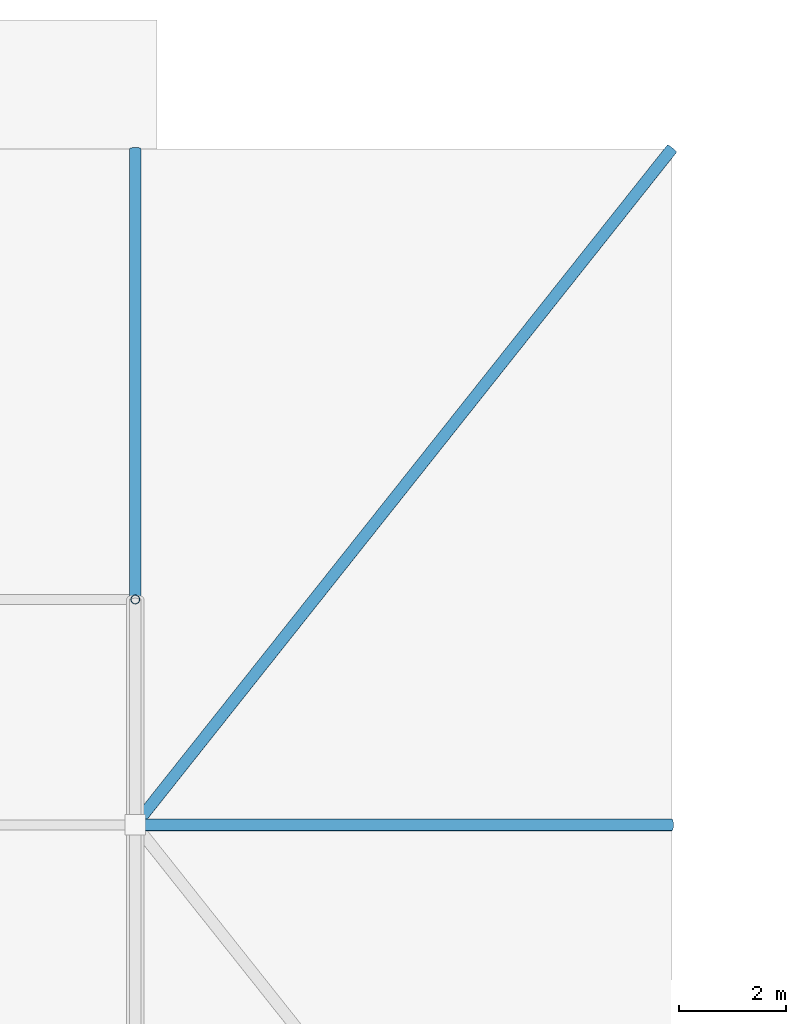
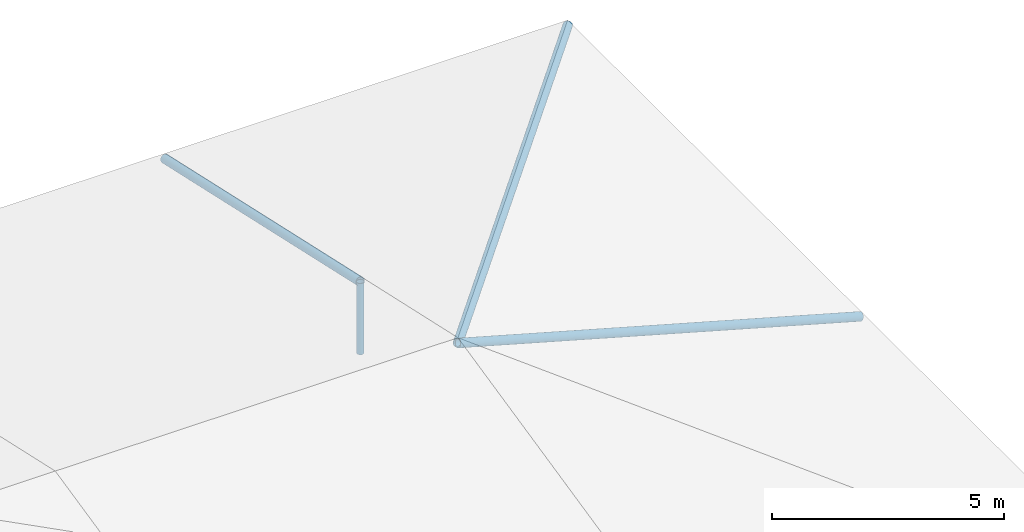
# One storey, part 59 of 93: 4 members.
"""IFC4 building model written with IfcOpenShell, lengths in metres."""

from ifc_helpers import new_model, si_unit, derived_unit, direction, frame, origin, origin_2d_with_axis, place, context, subcontext, project, spatial, hollow_circle, extrude, material, material_profile, profile_set, type_object, element, save


model = new_model("IFC4")

# Units and contexts
model_context = context("Model", 3, precision=1e-05, world=origin(), true_north=direction((0.0, 1.0)))
body_context = subcontext(model_context, "Body", "Model", "MODEL_VIEW")
ifc_project = project(units=[si_unit("LENGTHUNIT", "METRE"), si_unit("AREAUNIT", "SQUARE_METRE"), si_unit("VOLUMEUNIT", "CUBIC_METRE"), si_unit("PLANEANGLEUNIT", "RADIAN"), si_unit("MASSUNIT", "GRAM", prefix="KILO"), derived_unit("THERMALTRANSMITTANCEUNIT", [(si_unit("POWERUNIT", "WATT"), 1), (si_unit("LENGTHUNIT", "METRE"), -2), (si_unit("THERMODYNAMICTEMPERATUREUNIT", "KELVIN"), -1)])], contexts=[model_context])

# Site, building, storey
site_placement = place(None, origin())
site = spatial("IfcSite", under=ifc_project, at=site_placement, CompositionType="ELEMENT")
building_placement = place(site_placement, origin())
building = spatial("IfcBuilding", under=site, at=building_placement, Name="Cinnabar Yard Market Hall", CompositionType="ELEMENT")
storey_placement = place(building_placement, frame((0.0, 0.0, 23.800048828125)))
storey = spatial("IfcBuildingStorey", under=building, at=storey_placement, Name="ROOF", CompositionType="ELEMENT", Elevation=23.800048828125)

# Members
ifc_material = material(Name="Cold-formed steel C350L0", Category="steel")
ifc_material_profile_1 = material_profile(ifc_material, hollow_circle(Radius=0.109619140625, WallThickness=0.00830078125, at=origin_2d_with_axis()), Name="219.1x8.2CHS")
ifc_profile_set_1 = profile_set([ifc_material_profile_1], Name="Cold-formed steel C350L0")
member_type_1 = type_object("IfcMemberType", Name="MB-BC02", PredefinedType="CHORD", material=ifc_profile_set_1)
member_1_placement = place(storey_placement, frame((126.0, 129.60009765625, -3.330078125), z_axis=(0.0, 0.976107557975, -0.217287908694), x_axis=(-1.0, 0.0, 0.0)))
element("IfcMember", 1, at=member_1_placement, inside=storey, type_object=member_type_1, Name="Belvedere Rafter 126-129", PredefinedType="CHORD", context=body_context, shape_type="SweptSolid", body=[
    extrude(hollow_circle(Radius=0.109619140625, WallThickness=0.00830078125, at=origin_2d_with_axis()), origin(), (0.0, 0.0, 1.0), 8.60546875),
])
member_2_placement = place(storey_placement, frame((136.0, 138.0, -5.199951171875), z_axis=(-0.612447426166, -0.771689737901, 0.171473317463), x_axis=(0.783291249176, -0.621654903434, 0.0)))
element("IfcMember", 2, at=member_2_placement, inside=storey, type_object=member_type_1, Name="Belvedere Hip Rafter EN", PredefinedType="CHORD", context=body_context, shape_type="SweptSolid", body=[
    extrude(hollow_circle(Radius=0.109619140625, WallThickness=0.00830078125, at=origin_2d_with_axis()), origin(), (0.0, 0.0, 1.0), 16.327880859375),
])
member_3_placement = place(storey_placement, frame((136.0, 125.39990234375, -5.199951171875), z_axis=(-0.962968902935, 0.0, 0.269612484836), x_axis=(0.0, -1.0, 0.0)))
element("IfcMember", 3, at=member_3_placement, inside=storey, type_object=member_type_1, Name="Belvedere Hip Rafter EM", PredefinedType="CHORD", context=body_context, shape_type="SweptSolid", body=[
    extrude(hollow_circle(Radius=0.109619140625, WallThickness=0.00830078125, at=origin_2d_with_axis()), origin(), (0.0, 0.0, 1.0), 10.384521484375),
])
ifc_material_profile_2 = material_profile(ifc_material, hollow_circle(Radius=0.084228515625, WallThickness=0.00634765625, at=origin_2d_with_axis()), Name="168.3x6.4CHS")
ifc_profile_set_2 = profile_set([ifc_material_profile_2], Name="Cold-formed steel C350L0")
member_type_2 = type_object("IfcMemberType", Name="MB-WB01", PredefinedType="STRUT", material=ifc_profile_set_2)
member_4_placement = place(storey_placement, frame((126.0, 129.60009765625, -5.199951171875), z_axis=(0.0, 0.0, 1.0), x_axis=(1.0, 0.0, 0.0)))
element("IfcMember", 4, at=member_4_placement, inside=storey, type_object=member_type_2, Name="Belvedere Roof Post 126-129", PredefinedType="STRUT", context=body_context, shape_type="SweptSolid", body=[
    extrude(hollow_circle(Radius=0.084228515625, WallThickness=0.00634765625, at=origin_2d_with_axis()), origin(), (0.0, 0.0, 1.0), 1.869873046875),
])

save(model, "model.ifc")
